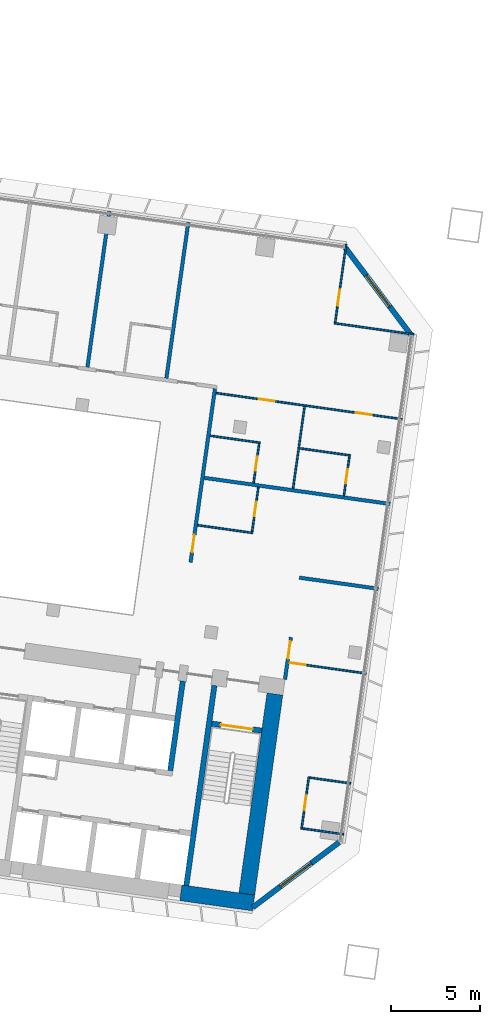
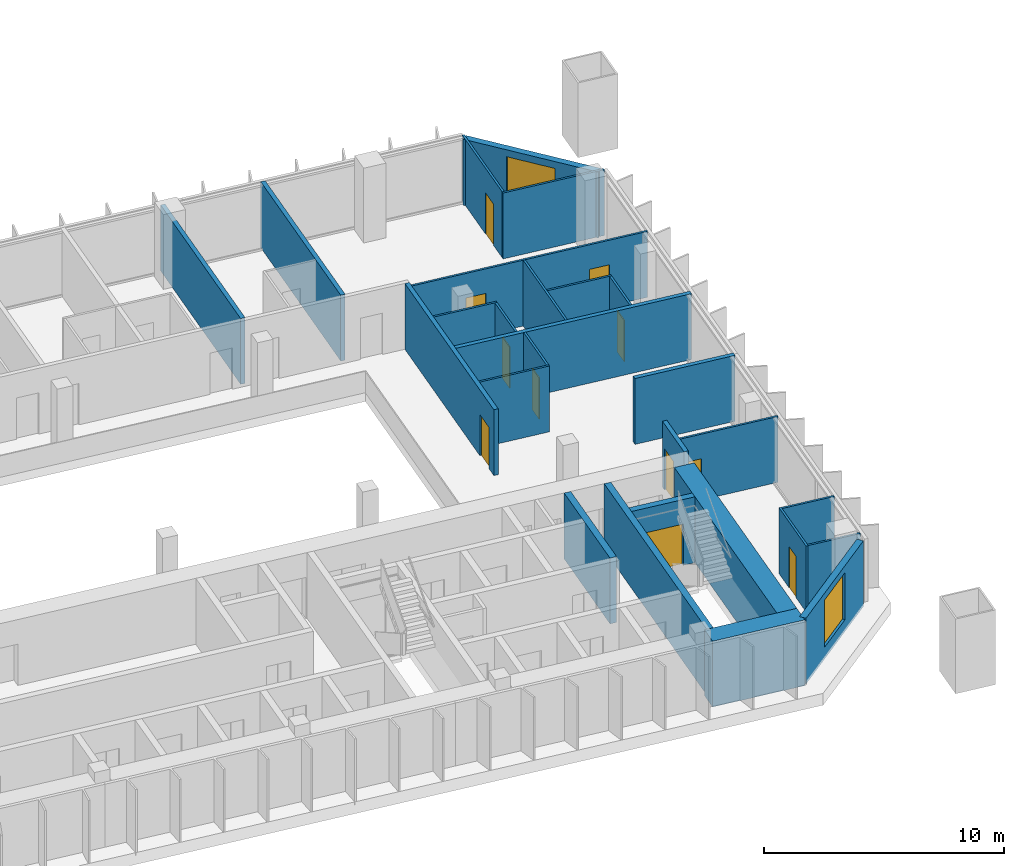
# One storey, part 17 of 24: 27 walls, 11 doors, 2 windows, 13 openings.
"""IFC4 building model written with IfcOpenShell, lengths in metres."""

from ifc_helpers import new_model, si_unit, direction, frame, frame_2d, origin, place, context, subcontext, project, spatial, rectangle, extrude, material, layer, layer_set, type_object, element, fill, save


model = new_model("IFC4")

# Units and contexts
model_context = context("Model", 3, precision=1e-05, world=origin(), true_north=direction((0.0, 1.0)))
body_context = subcontext(model_context, "Body", "Model", "MODEL_VIEW")
ifc_project = project(units=[si_unit("LENGTHUNIT", "METRE"), si_unit("AREAUNIT", "SQUARE_METRE"), si_unit("VOLUMEUNIT", "CUBIC_METRE"), si_unit("PLANEANGLEUNIT", "RADIAN"), si_unit("MASSUNIT", "GRAM", prefix="KILO")], contexts=[model_context])

# Site, building, storey
site_placement = place(None, origin())
site = spatial("IfcSite", under=ifc_project, at=site_placement, CompositionType="ELEMENT")
building_placement = place(site_placement, origin())
building = spatial("IfcBuilding", under=site, at=building_placement, Name="Mirante Cascada Hotel Towers", CompositionType="ELEMENT")
storey_placement = place(building_placement, frame((0.0, 0.0, 43.3)))
storey = spatial("IfcBuildingStorey", under=building, at=storey_placement, Name="L07", CompositionType="ELEMENT", Elevation=43.3)

# Walls
ifc_material_1 = material(Name="Fire-rated plasterboard on metal studs")
ifc_layer_1 = layer(ifc_material_1, 0.2)
ifc_layer_set_1 = layer_set([ifc_layer_1], Name="Compartment wall 200 EI 120")
wall_type_1 = type_object("IfcWallType", Name="Compartment wall 200 EI 120", PredefinedType="PARTITIONING", material=ifc_layer_set_1)
wall_1_placement = place(storey_placement, frame((-30.0, -2.0, 0.0), z_axis=(0.0, 0.0, 1.0), x_axis=(-0.9902674, 0.1391779, 0.0)))
element("IfcWall", 1, at=wall_1_placement, inside=storey, type_object=wall_type_1, Name="Wall 1-L07-08", PredefinedType="PARTITIONING", context=body_context, shape_type="SweptSolid", body=[
    extrude(rectangle(XDim=4.5, YDim=0.2, at=frame_2d((2.25, 0.0))), origin(), (0.0, 0.0, 1.0), 3.35),
])
wall_2_placement = place(storey_placement, frame((-39.8242, 4.2615, 0.0), z_axis=(0.0, 0.0, 1.0), x_axis=(0.9902686, -0.1391691, 0.0)))
element("IfcWall", 2, at=wall_2_placement, inside=storey, type_object=wall_type_1, Name="Wall 1-L07-13", PredefinedType="PARTITIONING", context=body_context, shape_type="SweptSolid", body=[
    extrude(rectangle(XDim=10.6001, YDim=0.2, at=frame_2d((5.3, 0.0))), origin(), (0.0, 0.0, 1.0), 3.35),
])

# Wall, opening, door
wall_3_placement = place(storey_placement, frame((-34.9294, -4.7406, 0.0), z_axis=(0.0, 0.0, 1.0), x_axis=(-0.1391635, -0.9902694, 0.0)))
wall_3 = element("IfcWall", 3, at=wall_3_placement, inside=storey, type_object=wall_type_1, Name="Wall 1-L07-29", PredefinedType="PARTITIONING", context=body_context, shape_type="SweptSolid", body=[
    extrude(rectangle(XDim=2.4001, YDim=0.2, at=frame_2d((1.2, 0.0))), origin(), (0.0, 0.0, 1.0), 3.35),
])
opening_1_placement = place(wall_3_placement, frame((0.2167, 0.0, 0.0)))
opening_1 = element("IfcOpeningElement", 4, at=opening_1_placement, cuts=wall_3, Name="Opening D1-L07-29", PredefinedType="OPENING", context=body_context, shape_type="SweptSolid", body=[
    extrude(rectangle(XDim=1.0, YDim=2.1, at=frame_2d((0.5, 1.05))), frame((0.0, 0.1, 0.0), z_axis=(0.0, -1.0, 0.0), x_axis=(1.0, 0.0, 0.0)), (0.0, 0.0, 1.0), 0.2),
])
ifc_material_2 = material(Name="Fire-rated timber door leaf", Category="wood")
door_type_1 = type_object("IfcDoorType", Name="Entrance door DG1 1000x2100 EI 60", OperationType="SINGLE_SWING_LEFT", PredefinedType="DOOR", material=ifc_material_2)
door_1_placement = place(opening_1_placement, origin())
door_1 = element("IfcDoor", 5, at=door_1_placement, inside=storey, type_object=door_type_1, Name="Door D1-L07-29", OperationType="SINGLE_SWING_LEFT", OverallHeight=2.1, OverallWidth=1.0, PredefinedType="DOOR", context=body_context, shape_type="SweptSolid", body=[
    extrude(rectangle(XDim=1.0, YDim=2.1, at=frame_2d((0.5, 1.05))), frame((0.0, 0.025, 0.0), z_axis=(0.0, -1.0, 0.0), x_axis=(1.0, 0.0, 0.0)), (0.0, 0.0, 1.0), 0.05),
])
fill(opening_1, door_1)

wall_4_placement = place(storey_placement, frame((-40.5959, -0.5108, 0.0), z_axis=(0.0, 0.0, 1.0), x_axis=(0.1391725, 0.9902682, 0.0)))
wall_4 = element("IfcWall", 6, at=wall_4_placement, inside=storey, type_object=wall_type_1, Name="Wall 1-L07-34", PredefinedType="PARTITIONING", context=body_context, shape_type="SweptSolid", body=[
    extrude(rectangle(XDim=9.8999, YDim=0.2, at=frame_2d((4.95, 0.0))), origin(), (0.0, 0.0, 1.0), 3.35),
])
opening_2_placement = place(wall_4_placement, frame((0.5667, 0.0, 0.0)))
opening_2 = element("IfcOpeningElement", 7, at=opening_2_placement, cuts=wall_4, Name="Opening D1-L07-33", PredefinedType="OPENING", context=body_context, shape_type="SweptSolid", body=[
    extrude(rectangle(XDim=1.0, YDim=2.1, at=frame_2d((0.5, 1.05))), frame((0.0, 0.1, 0.0), z_axis=(0.0, -1.0, 0.0), x_axis=(1.0, 0.0, 0.0)), (0.0, 0.0, 1.0), 0.2),
])
door_2_placement = place(opening_2_placement, frame((1.0, 0.0, 0.0), z_axis=(0.0, 0.0, 1.0), x_axis=(-1.0, 0.0, 0.0)))
door_2 = element("IfcDoor", 8, at=door_2_placement, inside=storey, type_object=door_type_1, Name="Door D1-L07-33", OperationType="SINGLE_SWING_RIGHT", OverallHeight=2.1, OverallWidth=1.0, PredefinedType="DOOR", context=body_context, shape_type="SweptSolid", body=[
    extrude(rectangle(XDim=1.0, YDim=2.1, at=frame_2d((0.5, 1.05))), frame((0.0, 0.025, 0.0), z_axis=(0.0, -1.0, 0.0), x_axis=(1.0, 0.0, 0.0)), (0.0, 0.0, 1.0), 0.05),
])
fill(opening_2, door_2)

# Walls
for number, where, z_axis, x_axis, name in (
    (9, (-40.7243, 18.6939, 0.0), (0.0, 0.0, 1.0), (-0.1391794, -0.9902672, 0.0), "Wall 1-L07-35"),
    (10, (-45.1805, 19.3202, 0.0), (0.0, 0.0, 1.0), (-0.1391794, -0.9902672, 0.0), "Wall 1-L07-37"),
):
    element("IfcWall", number, at=place(storey_placement, frame(where, z_axis=z_axis, x_axis=x_axis)), inside=storey, type_object=wall_type_1, Name=name, PredefinedType="PARTITIONING", context=body_context, shape_type="SweptSolid", body=[
        extrude(rectangle(XDim=8.9, YDim=0.2, at=frame_2d((4.45, 0.0))), origin(), (0.0, 0.0, 1.0), 3.35),
    ])
ifc_material_3 = material(Name="Plasterboard on metal studs")
ifc_layer_2 = layer(ifc_material_3, 0.1)
ifc_layer_set_2 = layer_set([ifc_layer_2], Name="Partition 100")
wall_type_2 = type_object("IfcWallType", Name="Partition 100", PredefinedType="PARTITIONING", material=ifc_layer_set_2)
for number, where, z_axis, x_axis, name in (
    (11, (-31.9484, -15.8638, 0.0), (0.0, 0.0, 1.0), (-0.9902661, 0.139187, 0.0), "Wall 1-L07-02"),
    (12, (-33.872, -12.6649, 0.0), (0.0, 0.0, 1.0), (0.9902661, -0.139187, 0.0), "Wall 1-L07-03"),
):
    element("IfcWall", number, at=place(storey_placement, frame(where, z_axis=z_axis, x_axis=x_axis)), inside=storey, type_object=wall_type_2, Name=name, PredefinedType="PARTITIONING", context=body_context, shape_type="SweptSolid", body=[
        extrude(rectangle(XDim=2.3501, YDim=0.1, at=frame_2d((1.175, 0.0))), origin(), (0.0, 0.0, 1.0), 3.35),
    ])

# Wall, opening, door
wall_5_placement = place(storey_placement, frame((-30.6727, -6.7863, 0.0), z_axis=(0.0, 0.0, 1.0), x_axis=(-0.9902665, 0.1391841, 0.0)))
wall_5 = element("IfcWall", 13, at=wall_5_placement, inside=storey, type_object=wall_type_2, Name="Wall 1-L07-04", PredefinedType="PARTITIONING", context=body_context, shape_type="SweptSolid", body=[
    extrude(rectangle(XDim=4.3999, YDim=0.1, at=frame_2d((2.2, 0.0))), origin(), (0.0, 0.0, 1.0), 3.35),
])
opening_3_placement = place(wall_5_placement, frame((3.45, 0.0, 0.0)))
opening_3 = element("IfcOpeningElement", 14, at=opening_3_placement, cuts=wall_5, Name="Opening D1-L07-02", PredefinedType="OPENING", context=body_context, shape_type="SweptSolid", body=[
    extrude(rectangle(XDim=0.9, YDim=2.1, at=frame_2d((0.45, 1.05))), frame((0.0, 0.05, 0.0), z_axis=(0.0, -1.0, 0.0), x_axis=(1.0, 0.0, 0.0)), (0.0, 0.0, 1.0), 0.1),
])
ifc_material_4 = material(Name="Timber door leaf", Category="wood")
door_type_2 = type_object("IfcDoorType", Name="Room door DG3 900x2100", OperationType="SINGLE_SWING_LEFT", PredefinedType="DOOR", material=ifc_material_4)
door_3_placement = place(opening_3_placement, origin())
door_3 = element("IfcDoor", 15, at=door_3_placement, inside=storey, type_object=door_type_2, Name="Door D1-L07-02", OperationType="SINGLE_SWING_LEFT", OverallHeight=2.1, OverallWidth=0.9, PredefinedType="DOOR", context=body_context, shape_type="SweptSolid", body=[
    extrude(rectangle(XDim=0.9, YDim=2.1, at=frame_2d((0.45, 1.05))), frame((0.0, 0.025, 0.0), z_axis=(0.0, -1.0, 0.0), x_axis=(1.0, 0.0, 0.0)), (0.0, 0.0, 1.0), 0.05),
])
fill(opening_3, door_3)

# Walls
wall_6_placement = place(storey_placement, frame((-37.0806, 1.1494, 0.0), z_axis=(0.0, 0.0, 1.0), x_axis=(-0.9902676, 0.1391765, 0.0)))
element("IfcWall", 16, at=wall_6_placement, inside=storey, type_object=wall_type_2, Name="Wall 1-L07-10", PredefinedType="PARTITIONING", context=body_context, shape_type="SweptSolid", body=[
    extrude(rectangle(XDim=3.15, YDim=0.1, at=frame_2d((1.575, 0.0))), origin(), (0.0, 0.0, 1.0), 3.35),
])
wall_7_placement = place(storey_placement, frame((-34.4398, 5.9284, 0.0), z_axis=(0.0, 0.0, 1.0), x_axis=(0.9902683, -0.1391714, 0.0)))
element("IfcWall", 17, at=wall_7_placement, inside=storey, type_object=wall_type_2, Name="Wall 1-L07-15", PredefinedType="PARTITIONING", context=body_context, shape_type="SweptSolid", body=[
    extrude(rectangle(XDim=2.9, YDim=0.1, at=frame_2d((1.45, 0.0))), origin(), (0.0, 0.0, 1.0), 3.35),
])
wall_8_placement = place(storey_placement, frame((-36.6679, 6.2415, 0.0), z_axis=(0.0, 0.0, 1.0), x_axis=(-0.9902704, 0.1391564, 0.0)))
element("IfcWall", 18, at=wall_8_placement, inside=storey, type_object=wall_type_2, Name="Wall 1-L07-16", PredefinedType="PARTITIONING", context=body_context, shape_type="SweptSolid", body=[
    extrude(rectangle(XDim=2.85, YDim=0.1, at=frame_2d((1.425, 0.0))), origin(), (0.0, 0.0, 1.0), 3.35),
])

# Wall, openings, doors
wall_9_placement = place(storey_placement, frame((-39.1515, 9.0479, 0.0), z_axis=(0.0, 0.0, 1.0), x_axis=(0.9902671, -0.1391797, 0.0)))
wall_9 = element("IfcWall", 19, at=wall_9_placement, inside=storey, type_object=wall_type_2, Name="Wall 1-L07-17", PredefinedType="PARTITIONING", context=body_context, shape_type="SweptSolid", body=[
    extrude(rectangle(XDim=10.6, YDim=0.1, at=frame_2d((5.3, 0.0))), origin(), (0.0, 0.0, 1.0), 3.35),
])
opening_4_placement = place(wall_9_placement, frame((7.975, 0.0, 0.0)))
opening_4 = element("IfcOpeningElement", 20, at=opening_4_placement, cuts=wall_9, Name="Opening D1-L07-07", PredefinedType="OPENING", context=body_context, shape_type="SweptSolid", body=[
    extrude(rectangle(XDim=0.9, YDim=2.1, at=frame_2d((0.45, 1.05))), frame((0.0, 0.05, 0.0), z_axis=(0.0, -1.0, 0.0), x_axis=(1.0, 0.0, 0.0)), (0.0, 0.0, 1.0), 0.1),
])
opening_5_placement = place(wall_9_placement, frame((2.425, 0.0, 0.0)))
opening_5 = element("IfcOpeningElement", 21, at=opening_5_placement, cuts=wall_9, Name="Opening D1-L07-08", PredefinedType="OPENING", context=body_context, shape_type="SweptSolid", body=[
    extrude(rectangle(XDim=0.9, YDim=2.1, at=frame_2d((0.45, 1.05))), frame((0.0, 0.05, 0.0), z_axis=(0.0, -1.0, 0.0), x_axis=(1.0, 0.0, 0.0)), (0.0, 0.0, 1.0), 0.1),
])
door_4_placement = place(opening_4_placement, origin())
door_4 = element("IfcDoor", 22, at=door_4_placement, inside=storey, type_object=door_type_2, Name="Door D1-L07-07", OperationType="SINGLE_SWING_LEFT", OverallHeight=2.1, OverallWidth=0.9, PredefinedType="DOOR", context=body_context, shape_type="SweptSolid", body=[
    extrude(rectangle(XDim=0.9, YDim=2.1, at=frame_2d((0.45, 1.05))), frame((0.0, 0.025, 0.0), z_axis=(0.0, -1.0, 0.0), x_axis=(1.0, 0.0, 0.0)), (0.0, 0.0, 1.0), 0.05),
])
fill(opening_4, door_4)
door_5_placement = place(opening_5_placement, origin())
door_5 = element("IfcDoor", 23, at=door_5_placement, inside=storey, type_object=door_type_2, Name="Door D1-L07-08", OperationType="SINGLE_SWING_LEFT", OverallHeight=2.1, OverallWidth=0.9, PredefinedType="DOOR", context=body_context, shape_type="SweptSolid", body=[
    extrude(rectangle(XDim=0.9, YDim=2.1, at=frame_2d((0.45, 1.05))), frame((0.0, 0.025, 0.0), z_axis=(0.0, -1.0, 0.0), x_axis=(1.0, 0.0, 0.0)), (0.0, 0.0, 1.0), 0.05),
])
fill(opening_5, door_5)

# Wall
wall_10_placement = place(storey_placement, frame((-27.982, 12.3589, 0.0), z_axis=(0.0, 0.0, 1.0), x_axis=(-0.9902691, 0.1391656, 0.0)))
element("IfcWall", 24, at=wall_10_placement, inside=storey, type_object=wall_type_2, Name="Wall 1-L07-26", PredefinedType="PARTITIONING", context=body_context, shape_type="SweptSolid", body=[
    extrude(rectangle(XDim=4.55, YDim=0.1, at=frame_2d((2.275, 0.0))), origin(), (0.0, 0.0, 1.0), 3.35),
])

# Wall, opening, door
wall_11_placement = place(storey_placement, frame((-33.9145, -12.6084, 0.0), z_axis=(0.0, 0.0, 1.0), x_axis=(-0.1391624, -0.9902696, 0.0)))
wall_11 = element("IfcWall", 25, at=wall_11_placement, inside=storey, type_object=wall_type_2, Name="Wall 1-L07-27", PredefinedType="PARTITIONING", context=body_context, shape_type="SweptSolid", body=[
    extrude(rectangle(XDim=3.0001, YDim=0.1, at=frame_2d((1.5001, 0.0))), origin(), (0.0, 0.0, 1.0), 3.35),
])
opening_6_placement = place(wall_11_placement, frame((1.1, 0.0, 0.0)))
opening_6 = element("IfcOpeningElement", 26, at=opening_6_placement, cuts=wall_11, Name="Opening D1-L07-27", PredefinedType="OPENING", context=body_context, shape_type="SweptSolid", body=[
    extrude(rectangle(XDim=0.8, YDim=2.1, at=frame_2d((0.4, 1.05))), frame((0.0, 0.05, 0.0), z_axis=(0.0, -1.0, 0.0), x_axis=(1.0, 0.0, 0.0)), (0.0, 0.0, 1.0), 0.1),
])
ifc_material_5 = material(Name="Timber door leaf", Category="wood")
door_type_3 = type_object("IfcDoorType", Name="Bathroom door DG4 800x2100", OperationType="SINGLE_SWING_LEFT", PredefinedType="DOOR", material=ifc_material_5)
door_6_placement = place(opening_6_placement, frame((0.8, 0.0, 0.0), z_axis=(0.0, 0.0, 1.0), x_axis=(-1.0, 0.0, 0.0)))
door_6 = element("IfcDoor", 27, at=door_6_placement, inside=storey, type_object=door_type_3, Name="Door D1-L07-27", OperationType="SINGLE_SWING_RIGHT", OverallHeight=2.1, OverallWidth=0.8, PredefinedType="DOOR", context=body_context, shape_type="SweptSolid", body=[
    extrude(rectangle(XDim=0.8, YDim=2.1, at=frame_2d((0.4, 1.05))), frame((0.0, 0.025, 0.0), z_axis=(0.0, -1.0, 0.0), x_axis=(1.0, 0.0, 0.0)), (0.0, 0.0, 1.0), 0.05),
])
fill(opening_6, door_6)

wall_12_placement = place(storey_placement, frame((-31.9376, 3.2541, 0.0), z_axis=(0.0, 0.0, 1.0), x_axis=(0.1391561, 0.9902705, 0.0)))
wall_12 = element("IfcWall", 28, at=wall_12_placement, inside=storey, type_object=wall_type_2, Name="Wall 1-L07-28", PredefinedType="PARTITIONING", context=body_context, shape_type="SweptSolid", body=[
    extrude(rectangle(XDim=2.25, YDim=0.1, at=frame_2d((1.125, 0.0))), origin(), (0.0, 0.0, 1.0), 3.35),
])
opening_7_placement = place(wall_12_placement, frame((0.7, 0.0, 0.0)))
opening_7 = element("IfcOpeningElement", 29, at=opening_7_placement, cuts=wall_12, Name="Opening D1-L07-28", PredefinedType="OPENING", context=body_context, shape_type="SweptSolid", body=[
    extrude(rectangle(XDim=0.8, YDim=2.1, at=frame_2d((0.4, 1.05))), frame((0.0, 0.05, 0.0), z_axis=(0.0, -1.0, 0.0), x_axis=(1.0, 0.0, 0.0)), (0.0, 0.0, 1.0), 0.1),
])
door_7_placement = place(opening_7_placement, origin())
door_7 = element("IfcDoor", 30, at=door_7_placement, inside=storey, type_object=door_type_3, Name="Door D1-L07-28", OperationType="SINGLE_SWING_LEFT", OverallHeight=2.1, OverallWidth=0.8, PredefinedType="DOOR", context=body_context, shape_type="SweptSolid", body=[
    extrude(rectangle(XDim=0.8, YDim=2.1, at=frame_2d((0.4, 1.05))), frame((0.0, 0.025, 0.0), z_axis=(0.0, -1.0, 0.0), x_axis=(1.0, 0.0, 0.0)), (0.0, 0.0, 1.0), 0.05),
])
fill(opening_7, door_7)

wall_13_placement = place(storey_placement, frame((-32.4312, 13.0347, 0.0), z_axis=(0.0, 0.0, 1.0), x_axis=(0.1391684, 0.9902687, 0.0)))
wall_13 = element("IfcWall", 31, at=wall_13_placement, inside=storey, type_object=wall_type_2, Name="Wall 1-L07-30", PredefinedType="PARTITIONING", context=body_context, shape_type="SweptSolid", body=[
    extrude(rectangle(XDim=4.45, YDim=0.1, at=frame_2d((2.225, 0.0))), origin(), (0.0, 0.0, 1.0), 3.35),
])
opening_8_placement = place(wall_13_placement, frame((0.9667, 0.0, 0.0)))
opening_8 = element("IfcOpeningElement", 32, at=opening_8_placement, cuts=wall_13, Name="Opening D1-L07-30", PredefinedType="OPENING", context=body_context, shape_type="SweptSolid", body=[
    extrude(rectangle(XDim=0.9, YDim=2.1, at=frame_2d((0.45, 1.05))), frame((0.0, 0.05, 0.0), z_axis=(0.0, -1.0, 0.0), x_axis=(1.0, 0.0, 0.0)), (0.0, 0.0, 1.0), 0.1),
])
door_8_placement = place(opening_8_placement, origin())
door_8 = element("IfcDoor", 33, at=door_8_placement, inside=storey, type_object=door_type_2, Name="Door D1-L07-30", OperationType="SINGLE_SWING_LEFT", OverallHeight=2.1, OverallWidth=0.9, PredefinedType="DOOR", context=body_context, shape_type="SweptSolid", body=[
    extrude(rectangle(XDim=0.9, YDim=2.1, at=frame_2d((0.45, 1.05))), frame((0.0, 0.025, 0.0), z_axis=(0.0, -1.0, 0.0), x_axis=(1.0, 0.0, 0.0)), (0.0, 0.0, 1.0), 0.05),
])
fill(opening_8, door_8)

# Wall
wall_14_placement = place(storey_placement, frame((-34.1576, 8.2955, 0.0), z_axis=(0.0, 0.0, 1.0), x_axis=(-0.139173, -0.9902681, 0.0)))
element("IfcWall", 34, at=wall_14_placement, inside=storey, type_object=wall_type_2, Name="Wall 1-L07-31", PredefinedType="PARTITIONING", context=body_context, shape_type="SweptSolid", body=[
    extrude(rectangle(XDim=4.6834, YDim=0.1, at=frame_2d((2.3417, 0.0))), origin(), (0.0, 0.0, 1.0), 3.35),
])

# Wall, opening, door
wall_15_placement = place(storey_placement, frame((-37.1232, 1.2059, 0.0), z_axis=(0.0, 0.0, 1.0), x_axis=(0.1391809, 0.990267, 0.0)))
wall_15 = element("IfcWall", 35, at=wall_15_placement, inside=storey, type_object=wall_type_2, Name="Wall 1-L07-32", PredefinedType="PARTITIONING", context=body_context, shape_type="SweptSolid", body=[
    extrude(rectangle(XDim=2.5499, YDim=0.1, at=frame_2d((1.275, 0.0))), origin(), (0.0, 0.0, 1.0), 3.35),
])
opening_9_placement = place(wall_15_placement, frame((0.9, 0.0, 0.0)))
opening_9 = element("IfcOpeningElement", 36, at=opening_9_placement, cuts=wall_15, Name="Opening D1-L07-31", PredefinedType="OPENING", context=body_context, shape_type="SweptSolid", body=[
    extrude(rectangle(XDim=0.8, YDim=2.1, at=frame_2d((0.4, 1.05))), frame((0.0, 0.05, 0.0), z_axis=(0.0, -1.0, 0.0), x_axis=(1.0, 0.0, 0.0)), (0.0, 0.0, 1.0), 0.1),
])
door_9_placement = place(opening_9_placement, frame((0.8, 0.0, 0.0), z_axis=(0.0, 0.0, 1.0), x_axis=(-1.0, 0.0, 0.0)))
door_9 = element("IfcDoor", 37, at=door_9_placement, inside=storey, type_object=door_type_3, Name="Door D1-L07-31", OperationType="SINGLE_SWING_RIGHT", OverallHeight=2.1, OverallWidth=0.8, PredefinedType="DOOR", context=body_context, shape_type="SweptSolid", body=[
    extrude(rectangle(XDim=0.8, YDim=2.1, at=frame_2d((0.4, 1.05))), frame((0.0, 0.025, 0.0), z_axis=(0.0, -1.0, 0.0), x_axis=(1.0, 0.0, 0.0)), (0.0, 0.0, 1.0), 0.05),
])
fill(opening_9, door_9)

wall_16_placement = place(storey_placement, frame((-36.7244, 6.1989, 0.0), z_axis=(0.0, 0.0, 1.0), x_axis=(-0.1391561, -0.9902705, 0.0)))
wall_16 = element("IfcWall", 38, at=wall_16_placement, inside=storey, type_object=wall_type_2, Name="Wall 1-L07-33", PredefinedType="PARTITIONING", context=body_context, shape_type="SweptSolid", body=[
    extrude(rectangle(XDim=2.25, YDim=0.1, at=frame_2d((1.125, 0.0))), origin(), (0.0, 0.0, 1.0), 3.35),
])
opening_10_placement = place(wall_16_placement, frame((0.75, 0.0, 0.0)))
opening_10 = element("IfcOpeningElement", 39, at=opening_10_placement, cuts=wall_16, Name="Opening D1-L07-32", PredefinedType="OPENING", context=body_context, shape_type="SweptSolid", body=[
    extrude(rectangle(XDim=0.8, YDim=2.1, at=frame_2d((0.4, 1.05))), frame((0.0, 0.05, 0.0), z_axis=(0.0, -1.0, 0.0), x_axis=(1.0, 0.0, 0.0)), (0.0, 0.0, 1.0), 0.1),
])
door_10_placement = place(opening_10_placement, frame((0.8, 0.0, 0.0), z_axis=(0.0, 0.0, 1.0), x_axis=(-1.0, 0.0, 0.0)))
door_10 = element("IfcDoor", 40, at=door_10_placement, inside=storey, type_object=door_type_3, Name="Door D1-L07-32", OperationType="SINGLE_SWING_RIGHT", OverallHeight=2.1, OverallWidth=0.8, PredefinedType="DOOR", context=body_context, shape_type="SweptSolid", body=[
    extrude(rectangle(XDim=0.8, YDim=2.1, at=frame_2d((0.4, 1.05))), frame((0.0, 0.025, 0.0), z_axis=(0.0, -1.0, 0.0), x_axis=(1.0, 0.0, 0.0)), (0.0, 0.0, 1.0), 0.05),
])
fill(opening_10, door_10)

# Wall, opening, window
ifc_material_6 = material(Name="Precast concrete C40/50", Category="concrete")
ifc_layer_3 = layer(ifc_material_6, 0.3)
ifc_layer_set_3 = layer_set([ifc_layer_3], Name="Precast concrete C40/50 cladding wall 300")
wall_type_3 = type_object("IfcWallType", Name="Precast concrete C40/50 cladding wall 300", PredefinedType="STANDARD", material=ifc_layer_set_3)
wall_17_placement = place(storey_placement, frame((-31.857, 17.252, 0.0), z_axis=(0.0, 0.0, 1.0), x_axis=(0.6018141, -0.7986362, 0.0)))
wall_17 = element("IfcWall", 41, at=wall_17_placement, inside=storey, type_object=wall_type_3, Name="Corner cladding wall T1 L07 front inner", PredefinedType="STANDARD", context=body_context, shape_type="SweptSolid", body=[
    extrude(rectangle(XDim=6.1157, YDim=0.3, at=frame_2d((3.0578, 0.0))), origin(), (0.0, 0.0, 1.0), 3.35),
])
opening_11_placement = place(wall_17_placement, frame((1.9578, 0.0, 0.6)))
opening_11 = element("IfcOpeningElement", 42, at=opening_11_placement, cuts=wall_17, Name="Opening W1-07-04", PredefinedType="OPENING", context=body_context, shape_type="SweptSolid", body=[
    extrude(rectangle(XDim=2.2, YDim=2.4, at=frame_2d((1.1, 1.2))), frame((0.0, 0.15, 0.0), z_axis=(0.0, -1.0, 0.0), x_axis=(1.0, 0.0, 0.0)), (0.0, 0.0, 1.0), 0.3),
])
ifc_material_7 = material(Name="Aluminium frame with clear double glazing", Category="aluminium")
window_type = type_object("IfcWindowType", Name="Corner suite window 2200x2400", PartitioningType="DOUBLE_PANEL_VERTICAL", PredefinedType="WINDOW", material=ifc_material_7)
window_1_placement = place(opening_11_placement, origin())
window_1 = element("IfcWindow", 43, at=window_1_placement, inside=storey, type_object=window_type, Name="Window W1-07-04", OverallHeight=2.4, OverallWidth=2.2, PartitioningType="SINGLE_PANEL", PredefinedType="WINDOW", context=body_context, shape_type="SweptSolid", body=[
    extrude(rectangle(XDim=2.2, YDim=2.4, at=frame_2d((1.1, 1.2))), frame((0.0, 0.03, 0.0), z_axis=(0.0, -1.0, 0.0), x_axis=(1.0, 0.0, 0.0)), (0.0, 0.0, 1.0), 0.06),
])
fill(opening_11, window_1)

wall_18_placement = place(storey_placement, frame((-32.2074, -16.3138, 0.0), z_axis=(0.0, 0.0, 1.0), x_axis=(-0.7986362, -0.6018141, 0.0)))
wall_18 = element("IfcWall", 44, at=wall_18_placement, inside=storey, type_object=wall_type_3, Name="Corner cladding wall T1 L07 inner rear", PredefinedType="STANDARD", context=body_context, shape_type="SweptSolid", body=[
    extrude(rectangle(XDim=6.1157, YDim=0.3, at=frame_2d((3.0578, 0.0))), origin(), (0.0, 0.0, 1.0), 3.35),
])
opening_12_placement = place(wall_18_placement, frame((1.9578, 0.0, 0.6)))
opening_12 = element("IfcOpeningElement", 45, at=opening_12_placement, cuts=wall_18, Name="Opening W1-07-05", PredefinedType="OPENING", context=body_context, shape_type="SweptSolid", body=[
    extrude(rectangle(XDim=2.2, YDim=2.4, at=frame_2d((1.1, 1.2))), frame((0.0, 0.15, 0.0), z_axis=(0.0, -1.0, 0.0), x_axis=(1.0, 0.0, 0.0)), (0.0, 0.0, 1.0), 0.3),
])
window_2_placement = place(opening_12_placement, origin())
window_2 = element("IfcWindow", 46, at=window_2_placement, inside=storey, type_object=window_type, Name="Window W1-07-05", OverallHeight=2.4, OverallWidth=2.2, PartitioningType="SINGLE_PANEL", PredefinedType="WINDOW", context=body_context, shape_type="SweptSolid", body=[
    extrude(rectangle(XDim=2.2, YDim=2.4, at=frame_2d((1.1, 1.2))), frame((0.0, 0.03, 0.0), z_axis=(0.0, -1.0, 0.0), x_axis=(1.0, 0.0, 0.0)), (0.0, 0.0, 1.0), 0.06),
])
fill(opening_12, window_2)

# Wall
ifc_material_8 = material(Name="Concrete C50/60", Category="concrete")
ifc_layer_4 = layer(ifc_material_8, 0.3)
ifc_layer_set_4 = layer_set([ifc_layer_4], Name="RC core wall 300 C50/60")
wall_type_4 = type_object("IfcWallType", Name="RC core wall 300 C50/60", PredefinedType="SHEAR", material=ifc_layer_set_4)
wall_19_placement = place(storey_placement, frame((-40.8373, -18.7548, 0.0), z_axis=(0.0, 0.0, 1.0), x_axis=(0.1391749, 0.9902678, 0.0)))
element("IfcWall", 47, at=wall_19_placement, inside=storey, type_object=wall_type_4, Name="Core wall T1:L07:5", PredefinedType="SHEAR", context=body_context, shape_type="SweptSolid", body=[
    extrude(rectangle(XDim=11.4, YDim=0.3, at=frame_2d((5.7, 0.0))), origin(), (0.0, 0.0, 1.0), 3.35),
])

# Wall, opening, door
wall_20_placement = place(storey_placement, frame((-36.5791, -10.0123, 0.0), z_axis=(0.0, 0.0, 1.0), x_axis=(-0.9902704, 0.1391564, 0.0)))
wall_20 = element("IfcWall", 48, at=wall_20_placement, inside=storey, type_object=wall_type_4, Name="Core wall T1:L07:9", PredefinedType="SHEAR", context=body_context, shape_type="SweptSolid", body=[
    extrude(rectangle(XDim=2.85, YDim=0.3, at=frame_2d((1.425, 0.0))), origin(), (0.0, 0.0, 1.0), 3.35),
])
opening_13_placement = place(wall_20_placement, frame((0.525, 0.0, 0.0)))
opening_13 = element("IfcOpeningElement", 49, at=opening_13_placement, cuts=wall_20, Name="Opening D1-07-C13", PredefinedType="OPENING", context=body_context, shape_type="SweptSolid", body=[
    extrude(rectangle(XDim=1.8, YDim=2.1, at=frame_2d((0.9, 1.05))), frame((0.0, 0.15, 0.0), z_axis=(0.0, -1.0, 0.0), x_axis=(1.0, 0.0, 0.0)), (0.0, 0.0, 1.0), 0.3),
])
ifc_material_9 = material(Name="Hollow metal fire door leaf")
door_type_4 = type_object("IfcDoorType", Name="Double fire door 1800x2100 FD60", OperationType="DOUBLE_DOOR_SINGLE_SWING", PredefinedType="DOOR", material=ifc_material_9)
door_11_placement = place(opening_13_placement, origin())
door_11 = element("IfcDoor", 50, at=door_11_placement, inside=storey, type_object=door_type_4, Name="Stair door T1 L07 13", OperationType="DOUBLE_DOOR_SINGLE_SWING", OverallHeight=2.1, OverallWidth=1.8, PredefinedType="DOOR", context=body_context, shape_type="SweptSolid", body=[
    extrude(rectangle(XDim=0.895, YDim=2.1, at=frame_2d((0.4475, 1.05))), frame((0.0, 0.025, 0.0), z_axis=(0.0, -1.0, 0.0), x_axis=(1.0, 0.0, 0.0)), (0.0, 0.0, 1.0), 0.05),
    extrude(rectangle(XDim=0.895, YDim=2.1, at=frame_2d((1.3525, 1.05))), frame((0.0, 0.025, 0.0), z_axis=(0.0, -1.0, 0.0), x_axis=(1.0, 0.0, 0.0)), (0.0, 0.0, 1.0), 0.05),
])
fill(opening_13, door_11)

# Walls
wall_21_placement = place(storey_placement, frame((-41.743, -12.2656, 0.0), z_axis=(0.0, 0.0, 1.0), x_axis=(0.1391755, 0.9902677, 0.0)))
element("IfcWall", 51, at=wall_21_placement, inside=storey, type_object=wall_type_4, Name="Core wall T1:L07:20", PredefinedType="SHEAR", context=body_context, shape_type="SweptSolid", body=[
    extrude(rectangle(XDim=5.1, YDim=0.3, at=frame_2d((2.55, 0.0))), origin(), (0.0, 0.0, 1.0), 3.35),
])
ifc_material_10 = material(Name="Concrete C50/60", Category="concrete")
ifc_layer_5 = layer(ifc_material_10, 0.9)
ifc_layer_set_5 = layer_set([ifc_layer_5], Name="RC core wall 900 C50/60")
wall_type_5 = type_object("IfcWallType", Name="RC core wall 900 C50/60", PredefinedType="SHEAR", material=ifc_layer_set_5)
wall_22_placement = place(storey_placement, frame((-37.0379, -19.7432, 0.0), z_axis=(0.0, 0.0, 1.0), x_axis=(-0.990267, 0.139181, 0.0)))
element("IfcWall", 52, at=wall_22_placement, inside=storey, type_object=wall_type_5, Name="Core wall T1:L07:1.1", PredefinedType="SHEAR", context=body_context, shape_type="SweptSolid", body=[
    extrude(rectangle(XDim=4.15, YDim=0.9, at=frame_2d((2.075, 0.0))), origin(), (0.0, 0.0, 1.0), 3.35),
])
wall_23_placement = place(storey_placement, frame((-37.4209, -19.2349, 0.0), z_axis=(0.0, 0.0, 1.0), x_axis=(0.1391761, 0.9902677, 0.0)))
element("IfcWall", 53, at=wall_23_placement, inside=storey, type_object=wall_type_5, Name="Core wall T1:L07:3", PredefinedType="SHEAR", context=body_context, shape_type="SweptSolid", body=[
    extrude(rectangle(XDim=11.3999, YDim=0.9, at=frame_2d((5.7, 0.0))), origin(), (0.0, 0.0, 1.0), 3.35),
])

save(model, "model.ifc")
